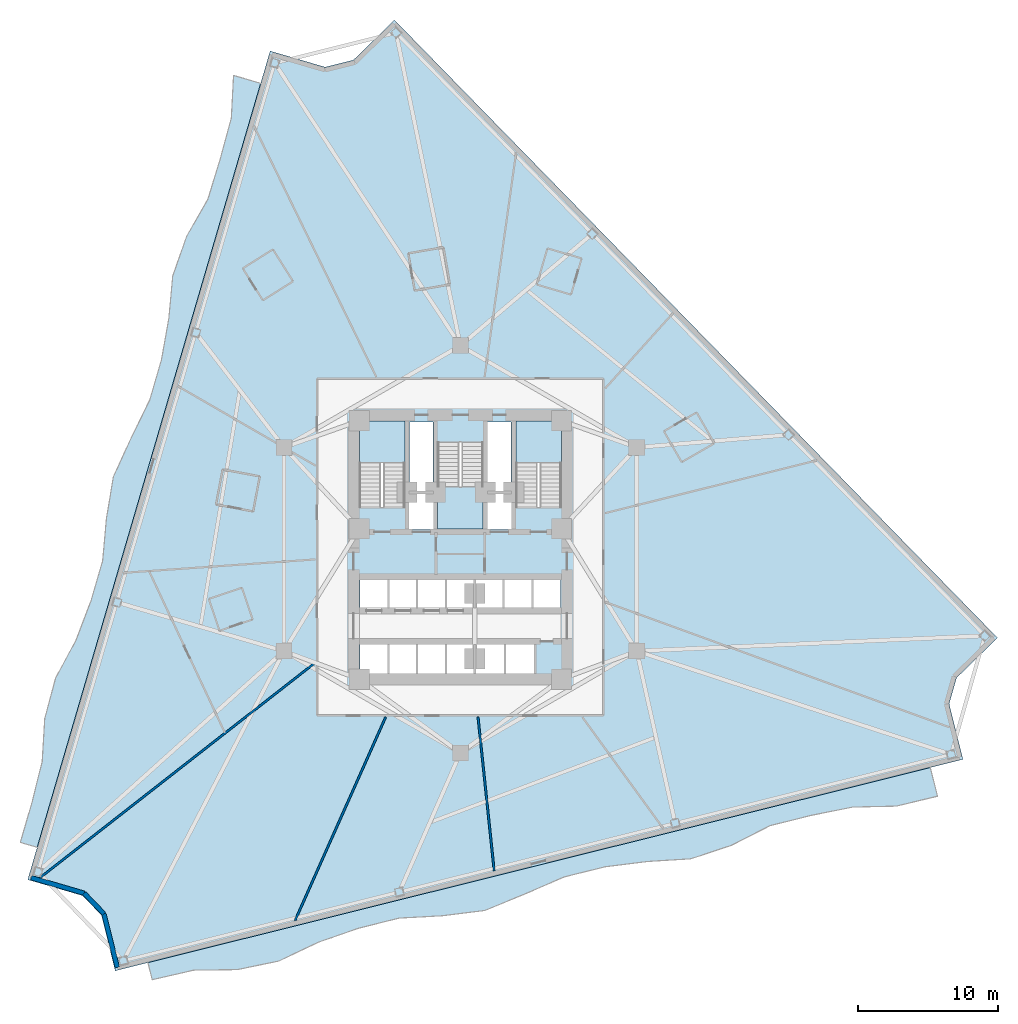
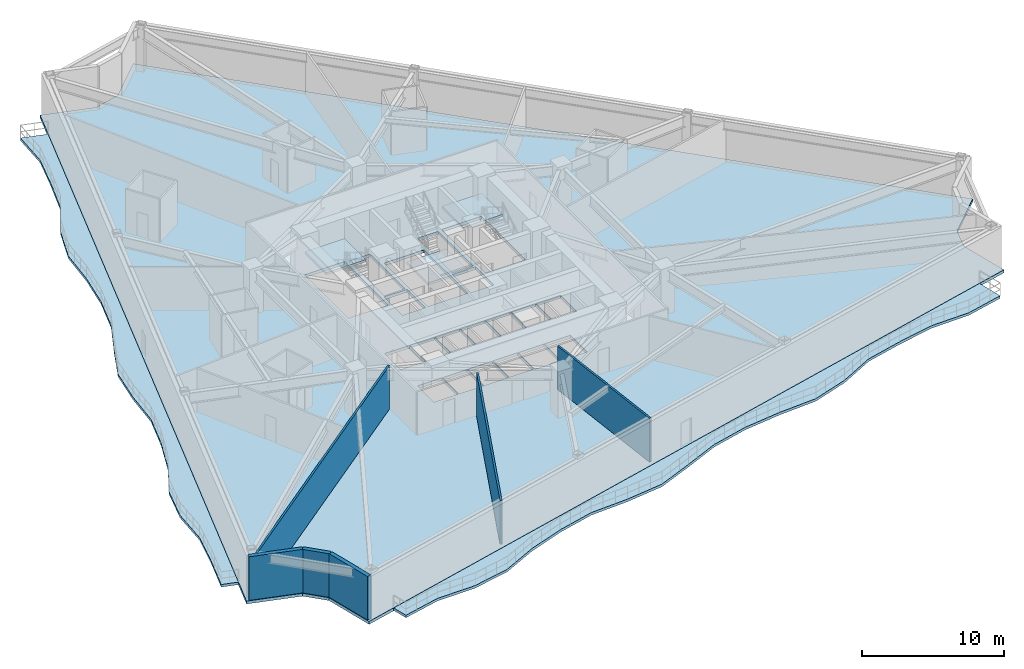
# One storey, part 2 of 9: 6 slabs, 6 walls, 3 elements without a shape of their own.
"""IFC4 building model written with IfcOpenShell, lengths in metres."""

from ifc_helpers import new_model, si_unit, direction, frame, frame_2d, origin, place, context, subcontext, project, spatial, polyline, rectangle, outline, extrude, material, layer, layer_set, type_object, element, aggregate, save


model = new_model("IFC4")

# Units and contexts
model_context = context("Model", 3, precision=1e-05, world=origin(), true_north=direction((0.0, 1.0)))
body_context = subcontext(model_context, "Body", "Model", "MODEL_VIEW")
ifc_project = project(units=[si_unit("LENGTHUNIT", "METRE"), si_unit("AREAUNIT", "SQUARE_METRE"), si_unit("VOLUMEUNIT", "CUBIC_METRE"), si_unit("PLANEANGLEUNIT", "RADIAN"), si_unit("MASSUNIT", "GRAM", prefix="KILO")], contexts=[model_context])

# Site, building, storey
site_placement = place(None, origin())
site = spatial("IfcSite", under=ifc_project, at=site_placement, CompositionType="ELEMENT")
building_placement = place(site_placement, origin())
building = spatial("IfcBuilding", under=site, at=building_placement, Name="Apsidion Concourse Tower", CompositionType="ELEMENT")
storey_placement = place(building_placement, frame((0.0, 0.0, 119.0)))
storey = spatial("IfcBuildingStorey", under=building, at=storey_placement, Name="L27", CompositionType="ELEMENT", Elevation=119.0)

# Slabs
ifc_material_1 = material(Name="Concrete C50/60", Category="concrete")
ifc_layer_1 = layer(ifc_material_1, 0.219970703125)
ifc_layer_set_1 = layer_set([ifc_layer_1], Name="Concrete C50/60")
slab_type_1 = type_object("IfcSlabType", Name="SL-BAL-220", PredefinedType="FLOOR", material=ifc_layer_set_1)
slab_1_placement = place(storey_placement, frame((0.0, 0.0, -0.219970703125)))
element("IfcSlab", 1, at=slab_1_placement, inside=storey, type_object=slab_type_1, Name="L27 Face 1 Rippling Balcony Slab", PredefinedType="FLOOR", context=body_context, shape_type="SweptSolid", body=[
    extrude(outline(polyline([(-14.220458984375, 33.17431640625), (-15.05810546875, 30.311279296875), (-15.8955078125, 27.4482421875), (-16.73291015625, 24.58544921875), (-17.570556640625, 21.722412109375), (-18.407958984375, 18.859619140625), (-19.24560546875, 15.99658203125), (-20.0830078125, 13.133544921875), (-20.920654296875, 10.2705078125), (-21.758056640625, 7.40771484375), (-22.595703125, 4.544677734375), (-23.43310546875, 1.681884765625), (-24.2705078125, -1.18115234375), (-25.108154296875, -4.044189453125), (-25.94580078125, -6.906982421875), (-26.783203125, -9.77001953125), (-27.62060546875, -12.633056640625), (-28.458251953125, -15.495849609375), (-29.295654296875, -18.35888671875), (-30.13330078125, -21.2216796875), (-31.3330078125, -20.870849609375), (-30.49560546875, -18.0078125), (-29.774169921875, -15.111083984375), (-29.59423828125, -12.0556640625), (-28.8203125, -9.174072265625), (-27.375, -6.489013671875), (-26.307861328125, -3.693115234375), (-25.470458984375, -0.830078125), (-25.201416015625, 2.198974609375), (-24.705810546875, 5.162109375), (-23.44921875, 7.90234375), (-22.120361328125, 10.62158203125), (-21.28271484375, 13.484619140625), (-20.75830078125, 16.439208984375), (-20.479736328125, 19.465576171875), (-19.4873046875, 22.283203125), (-17.970458984375, 24.947509765625), (-17.09521484375, 27.79931640625), (-16.310791015625, 30.677734375), (-16.149169921875, 33.738525390625), (-14.220458984375, 33.17431640625)])), origin(), (0.0, 0.0, 1.0), 0.219970703125),
])
slab_2_placement = place(storey_placement, frame((0.0, 0.0, -0.219970703125)))
element("IfcSlab", 2, at=slab_2_placement, inside=storey, type_object=slab_type_1, Name="L27 Face 2 Rippling Balcony Slab", PredefinedType="FLOOR", context=body_context, shape_type="SweptSolid", body=[
    extrude(outline(polyline([(-22.24560546875, -29.43359375), (-19.313720703125, -28.702392578125), (-16.3818359375, -27.971435546875), (-13.449951171875, -27.240478515625), (-10.51806640625, -26.509521484375), (-7.586181640625, -25.778564453125), (-4.654296875, -25.047607421875), (-1.722412109375, -24.31640625), (1.209228515625, -23.58544921875), (4.14111328125, -22.8544921875), (7.072998046875, -22.12353515625), (10.0048828125, -21.392578125), (12.936767578125, -20.66162109375), (15.86865234375, -19.9306640625), (18.800537109375, -19.19970703125), (21.732421875, -18.468505859375), (24.664306640625, -17.737548828125), (27.59619140625, -17.006591796875), (30.528076171875, -16.275634765625), (33.4599609375, -15.544677734375), (33.968505859375, -17.5849609375), (31.02978515625, -18.2880859375), (27.9326171875, -18.35546875), (24.966796875, -18.950439453125), (22.034912109375, -19.681396484375), (19.272705078125, -21.093505859375), (16.394775390625, -22.040283203125), (13.327880859375, -22.229736328125), (10.307373046875, -22.60546875), (7.37548828125, -23.33642578125), (4.565185546875, -24.5546875), (1.7412109375, -25.71875), (-1.27880859375, -26.095947265625), (-4.35205078125, -26.260498046875), (-7.283935546875, -26.991455078125), (-10.1484375, -27.9921875), (-12.931396484375, -29.32080078125), (-15.893798828125, -29.928955078125), (-18.997802734375, -29.97021484375), (-21.943115234375, -30.646484375), (-22.24560546875, -29.43359375)])), origin(), (0.0, 0.0, 1.0), 0.219970703125),
])
ifc_layer_2 = layer(ifc_material_1, 0.25)
ifc_layer_set_2 = layer_set([ifc_layer_2], Name="Concrete C50/60")
slab_type_2 = type_object("IfcSlabType", Name="SL-FLR-250", PredefinedType="FLOOR", material=ifc_layer_set_2)
slab_3_placement = place(storey_placement, frame((0.0, 0.0, -0.25)))
element("IfcSlab", 3, at=slab_3_placement, inside=storey, type_object=slab_type_2, Name="L27 Structural Floor Slab", PredefinedType="FLOOR", context=body_context, shape_type="SweptSolid", body=[
    extrude(outline(polyline([(-4.69482421875, 37.684814453125), (-7.614013671875, 34.83544921875), (-9.63134765625, 34.33251953125), (-13.546630859375, 35.477783203125), (-30.80712890625, -23.525390625), (-26.891845703125, -24.670654296875), (-25.56103515625, -26.055908203125), (-24.57421875, -30.01416015625), (35.78857421875, -14.964111328125), (34.8017578125, -11.005859375), (35.326416015625, -9.15771484375), (38.24560546875, -6.30859375), (-4.69482421875, 37.684814453125)]), holes=[polyline([(-3.949951171875, 3.0), (-3.949951171875, 9.14990234375), (-7.199951171875, 9.14990234375), (-7.199951171875, 3.0), (-3.949951171875, 3.0)]), polyline([(7.199951171875, 3.0), (7.199951171875, 9.14990234375), (3.949951171875, 9.14990234375), (3.949951171875, 3.0), (7.199951171875, 3.0)]), polyline([(-1.625, 7.60009765625), (-1.625, 1.449951171875), (1.625, 1.449951171875), (1.625, 7.60009765625), (-1.625, 7.60009765625)]), polyline([(-7.14501953125, -4.300048828125), (-5.155029296875, -4.300048828125), (-5.155029296875, -2.050048828125), (-7.14501953125, -2.050048828125), (-7.14501953125, -4.300048828125)]), polyline([(-5.094970703125, -4.300048828125), (-3.10498046875, -4.300048828125), (-3.10498046875, -2.050048828125), (-5.094970703125, -2.050048828125), (-5.094970703125, -4.300048828125)]), polyline([(-3.044921875, -4.300048828125), (-1.054931640625, -4.300048828125), (-1.054931640625, -2.050048828125), (-3.044921875, -2.050048828125), (-3.044921875, -4.300048828125)]), polyline([(-0.9951171875, -4.300048828125), (0.9951171875, -4.300048828125), (0.9951171875, -2.050048828125), (-0.9951171875, -2.050048828125), (-0.9951171875, -4.300048828125)]), polyline([(1.054931640625, -4.300048828125), (3.044921875, -4.300048828125), (3.044921875, -2.050048828125), (1.054931640625, -2.050048828125), (1.054931640625, -4.300048828125)]), polyline([(3.10498046875, -4.300048828125), (5.094970703125, -4.300048828125), (5.094970703125, -2.050048828125), (3.10498046875, -2.050048828125), (3.10498046875, -4.300048828125)]), polyline([(5.155029296875, -4.300048828125), (7.14501953125, -4.300048828125), (7.14501953125, -2.050048828125), (5.155029296875, -2.050048828125), (5.155029296875, -4.300048828125)]), polyline([(-7.14501953125, -8.949951171875), (-5.155029296875, -8.949951171875), (-5.155029296875, -6.64990234375), (-7.14501953125, -6.64990234375), (-7.14501953125, -8.949951171875)]), polyline([(-5.094970703125, -8.949951171875), (-3.10498046875, -8.949951171875), (-3.10498046875, -6.64990234375), (-5.094970703125, -6.64990234375), (-5.094970703125, -8.949951171875)]), polyline([(-3.044921875, -8.949951171875), (-1.054931640625, -8.949951171875), (-1.054931640625, -6.64990234375), (-3.044921875, -6.64990234375), (-3.044921875, -8.949951171875)]), polyline([(-0.9951171875, -8.949951171875), (0.9951171875, -8.949951171875), (0.9951171875, -6.64990234375), (-0.9951171875, -6.64990234375), (-0.9951171875, -8.949951171875)]), polyline([(1.044921875, -9.0), (3.155029296875, -9.0), (3.155029296875, -6.64990234375), (1.044921875, -6.64990234375), (1.044921875, -9.0)]), polyline([(3.195068359375, -9.0), (5.304931640625, -9.0), (5.304931640625, -6.64990234375), (3.195068359375, -6.64990234375), (3.195068359375, -9.0)]), polyline([(-3.7099609375, 1.39990234375), (-1.85009765625, 1.39990234375), (-1.85009765625, 4.0), (-3.7099609375, 4.0), (-3.7099609375, 1.39990234375)]), polyline([(1.85009765625, 1.39990234375), (3.7099609375, 1.39990234375), (3.7099609375, 4.0), (1.85009765625, 4.0), (1.85009765625, 1.39990234375)]), polyline([(-3.6201171875, 4.14990234375), (-1.93994140625, 4.14990234375), (-1.93994140625, 9.050048828125), (-3.6201171875, 9.050048828125), (-3.6201171875, 4.14990234375)]), polyline([(1.93994140625, 4.14990234375), (3.6201171875, 4.14990234375), (3.6201171875, 9.050048828125), (1.93994140625, 9.050048828125), (1.93994140625, 4.14990234375)])]), origin(), (0.0, 0.0, 1.0), 0.25),
])

# Stair, slab
ifc_material_2 = material(Name="Precast concrete C40/50", Category="concrete")
stair_type = type_object("IfcStairType", Name="ST-DL-1550", PredefinedType="HALF_TURN_STAIR", material=ifc_material_2)
stair_1_placement = place(storey_placement, origin())
stair_1 = element("IfcStair", 4, at=stair_1_placement, inside=storey, type_object=stair_type, Name="L27 Protected Core Exit Stair ST1", PredefinedType="HALF_TURN_STAIR")
ifc_layer_3 = layer(ifc_material_1, 0.199951171875)
ifc_layer_set_3 = layer_set([ifc_layer_3], Name="Concrete C50/60")
slab_type_3 = type_object("IfcSlabType", Name="SL-ST-LAND-200", PredefinedType="LANDING", material=ifc_layer_set_3)
slab_4_placement = place(storey_placement, frame((0.0, 0.0, 1.800048828125)))
slab_4 = element("IfcSlab", 5, at=slab_4_placement, type_object=slab_type_3, Name="ST1 landing 1", PredefinedType="LANDING", context=body_context, shape_type="SweptSolid", body=[
    extrude(outline(polyline([(-3.949951171875, 6.135009765625), (-3.949951171875, 9.14990234375), (-7.199951171875, 9.14990234375), (-7.199951171875, 6.135009765625), (-3.949951171875, 6.135009765625)])), origin(), (0.0, 0.0, 1.0), 0.199951171875),
])
aggregate(stair_1, [slab_4])

stair_2_placement = place(storey_placement, origin())
stair_2 = element("IfcStair", 6, at=stair_2_placement, inside=storey, type_object=stair_type, Name="L27 Protected Core Exit Stair ST2", PredefinedType="HALF_TURN_STAIR")
slab_5_placement = place(storey_placement, frame((0.0, 0.0, 1.800048828125)))
slab_5 = element("IfcSlab", 7, at=slab_5_placement, type_object=slab_type_3, Name="ST2 landing 1", PredefinedType="LANDING", context=body_context, shape_type="SweptSolid", body=[
    extrude(outline(polyline([(7.199951171875, 6.135009765625), (7.199951171875, 9.14990234375), (3.949951171875, 9.14990234375), (3.949951171875, 6.135009765625), (7.199951171875, 6.135009765625)])), origin(), (0.0, 0.0, 1.0), 0.199951171875),
])
aggregate(stair_2, [slab_5])

stair_3_placement = place(storey_placement, origin())
stair_3 = element("IfcStair", 8, at=stair_3_placement, inside=storey, type_object=stair_type, Name="L27 Protected Core Exit Stair ST3", PredefinedType="HALF_TURN_STAIR")
slab_6_placement = place(storey_placement, frame((0.0, 0.0, 1.800048828125)))
slab_6 = element("IfcSlab", 9, at=slab_6_placement, type_object=slab_type_3, Name="ST3 landing 1", PredefinedType="LANDING", context=body_context, shape_type="SweptSolid", body=[
    extrude(outline(polyline([(-1.625, 4.465087890625), (-1.625, 1.449951171875), (1.625, 1.449951171875), (1.625, 4.465087890625), (-1.625, 4.465087890625)])), origin(), (0.0, 0.0, 1.0), 0.199951171875),
])
aggregate(stair_3, [slab_6])

# Walls
ifc_layer_4 = layer(ifc_material_2, 0.320068359375)
ifc_layer_set_4 = layer_set([ifc_layer_4], Name="Precast concrete C40/50")
wall_type_1 = type_object("IfcWallType", Name="WL-EXT-320", PredefinedType="STANDARD", material=ifc_layer_set_4)
wall_1_placement = place(storey_placement, frame((-24.4287109375, -29.771728515625, 0.0), z_axis=(0.0, 0.0, 1.0), x_axis=(-0.241863642263, 0.970310248607, 0.0)))
element("IfcWall", 10, at=wall_1_placement, inside=storey, type_object=wall_type_1, Name="L27 Precast Stone Facade Wall 06", PredefinedType="STANDARD", context=body_context, shape_type="SweptSolid", body=[
    extrude(rectangle(XDim=3.9326171875, YDim=0.320068359375, at=frame_2d((1.96630859375, 0.0))), origin(), (0.0, 0.0, 1.0), 3.75),
])
wall_2_placement = place(storey_placement, frame((-25.3798828125, -25.955810546875, 0.0), z_axis=(0.0, 0.0, 1.0), x_axis=(-0.69281750058, 0.721112966802, 0.0)))
element("IfcWall", 11, at=wall_2_placement, inside=storey, type_object=wall_type_1, Name="L27 Precast Stone Facade Wall 07", PredefinedType="STANDARD", context=body_context, shape_type="SweptSolid", body=[
    extrude(rectangle(XDim=2.027587890625, YDim=0.320068359375, at=frame_2d((1.013671875, 0.0))), origin(), (0.0, 0.0, 1.0), 3.75),
])
wall_3_placement = place(storey_placement, frame((-26.78466796875, -24.49365234375, 0.0), z_axis=(0.0, 0.0, 1.0), x_axis=(-0.959768832583, 0.28079136027, 0.0)))
element("IfcWall", 12, at=wall_3_placement, inside=storey, type_object=wall_type_1, Name="L27 Precast Stone Facade Wall 08", PredefinedType="STANDARD", context=body_context, shape_type="SweptSolid", body=[
    extrude(rectangle(XDim=3.9326171875, YDim=0.320068359375, at=frame_2d((1.96630859375, 0.0))), origin(), (0.0, 0.0, 1.0), 3.75),
])
ifc_material_3 = material(Name="Gypsum plasterboard partition")
ifc_layer_5 = layer(ifc_material_3, 0.14990234375)
ifc_layer_set_5 = layer_set([ifc_layer_5], Name="Gypsum plasterboard partition")
wall_type_2 = type_object("IfcWallType", Name="WL-INT-PAR-150", PredefinedType="PARTITIONING", material=ifc_layer_set_5)
wall_4_placement = place(storey_placement, frame((-10.304931640625, -8.051025390625, 0.0), z_axis=(0.0, 0.0, 1.0), x_axis=(-0.788009516535, -0.615663058702, 0.0)))
element("IfcWall", 13, at=wall_4_placement, inside=storey, type_object=wall_type_2, Name="L27 Interior Partition WL-L27-RAD-07-1", PredefinedType="PARTITIONING", context=body_context, shape_type="SweptSolid", body=[
    extrude(rectangle(XDim=24.9130859375, YDim=0.14990234375, at=frame_2d((12.45654296875, 0.0))), origin(), (0.0, 0.0, 1.0), 3.75),
])
wall_5_placement = place(storey_placement, frame((-5.32275390625, -11.955078125, 0.0), z_axis=(0.0, 0.0, 1.0), x_axis=(-0.406742899109, -0.913542672252, 0.0)))
element("IfcWall", 14, at=wall_5_placement, inside=storey, type_object=wall_type_2, Name="L27 Interior Partition WL-L27-RAD-08-1", PredefinedType="PARTITIONING", context=body_context, shape_type="SweptSolid", body=[
    extrude(rectangle(XDim=15.850341796875, YDim=0.14990234375, at=frame_2d((7.92529296875, 0.0))), origin(), (0.0, 0.0, 1.0), 3.75),
])
wall_6_placement = place(storey_placement, frame((1.256591796875, -11.955078125, 0.0), z_axis=(0.0, 0.0, 1.0), x_axis=(0.104527737562, -0.994521971643, 0.0)))
element("IfcWall", 15, at=wall_6_placement, inside=storey, type_object=wall_type_2, Name="L27 Interior Partition WL-L27-RAD-09-1", PredefinedType="PARTITIONING", context=body_context, shape_type="SweptSolid", body=[
    extrude(rectangle(XDim=11.005615234375, YDim=0.14990234375, at=frame_2d((5.5029296875, 0.0))), origin(), (0.0, 0.0, 1.0), 3.75),
])

save(model, "model.ifc")
